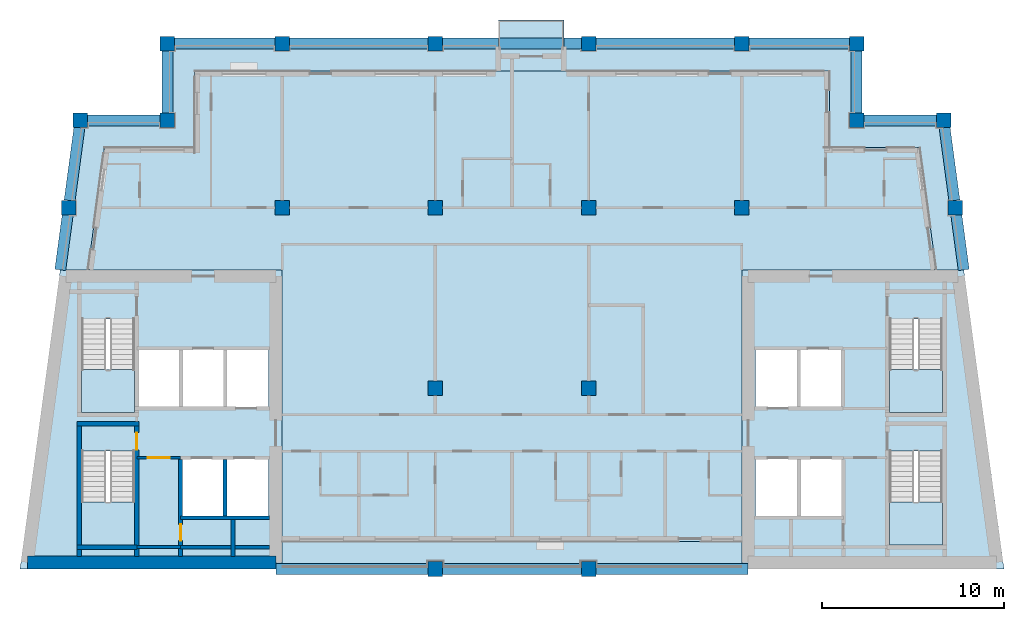
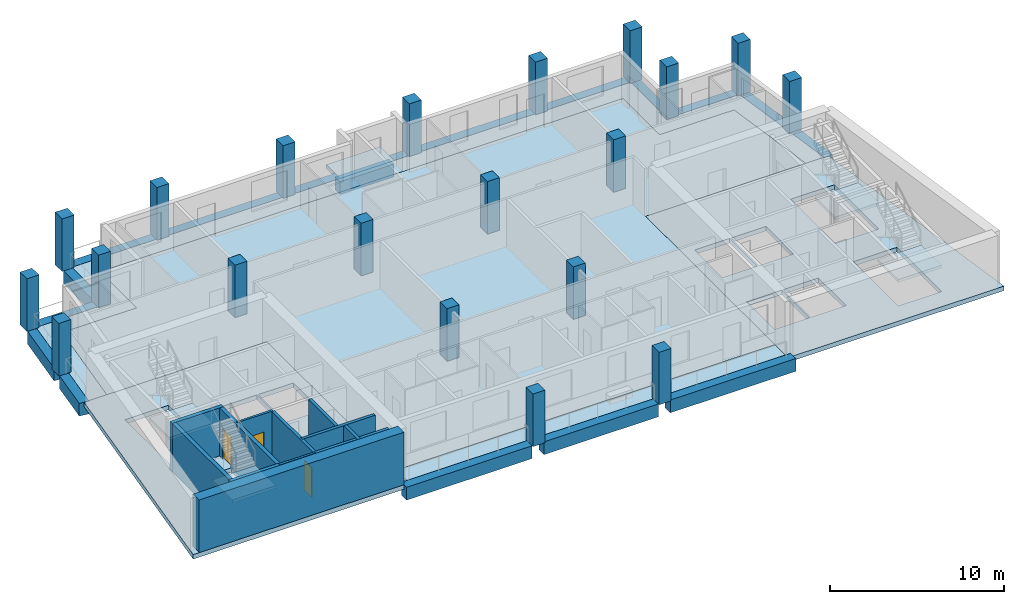
# One storey, part 1 of 10: 20 columns, 18 beams, 12 walls, 10 slabs, 3 doors, 3 openings, 4 elements without a shape of their own.
"""IFC4 building model written with IfcOpenShell, lengths in metres."""

from ifc_helpers import new_model, si_unit, direction, frame, frame_2d, origin, origin_2d, place, context, subcontext, project, spatial, polyline, rectangle, outline, extrude, material, layer, layer_set, material_profile, profile_set, type_object, element, fill, aggregate, save


model = new_model("IFC4")

# Units and contexts
model_context = context("Model", 3, precision=1e-05, world=origin(), true_north=direction((0.0, 1.0)))
body_context = subcontext(model_context, "Body", "Model", "MODEL_VIEW")
ifc_project = project(units=[si_unit("LENGTHUNIT", "METRE"), si_unit("AREAUNIT", "SQUARE_METRE"), si_unit("VOLUMEUNIT", "CUBIC_METRE"), si_unit("PLANEANGLEUNIT", "RADIAN"), si_unit("MASSUNIT", "GRAM", prefix="KILO")], contexts=[model_context])

# Site, building, storey
site_placement = place(None, origin())
site = spatial("IfcSite", under=ifc_project, at=site_placement, CompositionType="ELEMENT")
building_placement = place(site_placement, origin())
building = spatial("IfcBuilding", under=site, at=building_placement, Name="Candeia Pilgrim Tower and Theatre", CompositionType="ELEMENT")
storey_placement = place(building_placement, frame((0.0, 0.0, 284.89990234375)))
storey = spatial("IfcBuildingStorey", under=building, at=storey_placement, Name="L69", CompositionType="ELEMENT", Elevation=284.89990234375)

# Columns
ifc_material_1 = material(Name="Concrete C40/50", Category="concrete")
ifc_material_profile_1 = material_profile(ifc_material_1, rectangle(XDim=0.800048828125, YDim=0.800048828125, at=origin_2d()))
ifc_profile_set_1 = profile_set([ifc_material_profile_1], Name="Concrete C40/50")
column_type = type_object("IfcColumnType", Name="RC 800x800 C40/50", PredefinedType="COLUMN", material=ifc_profile_set_1)
for number, where, z_axis, x_axis, name in (
    (1, (94.5, 140.60009765625, 0.0), (0.0, 0.0, 1.0), (1.0, 0.0, 0.0), "Column NNW"),
    (2, (132.300048828125, 140.60009765625, 0.0), (0.0, 0.0, 1.0), (1.0, 0.0, 0.0), "Column NNE"),
    (3, (89.734619140625, 140.60009765625, 0.0), (0.0, 0.0, 1.0), (1.0, 0.0, 0.0), "Column LNW"),
    (4, (137.0654296875, 140.60009765625, 0.0), (0.0, 0.0, 1.0), (1.0, 0.0, 0.0), "Column LNE"),
    (5, (109.199951171875, 116.0, 0.0), (0.0, 0.0, 1.0), (1.0, 0.0, 0.0), "Column C3"),
    (6, (117.60009765625, 116.0, 0.0), (0.0, 0.0, 1.0), (1.0, 0.0, 0.0), "Column C4"),
    (7, (109.199951171875, 125.89990234375, 0.0), (0.0, 0.0, 1.0), (1.0, 0.0, 0.0), "Column D3"),
    (8, (117.60009765625, 125.89990234375, 0.0), (0.0, 0.0, 1.0), (1.0, 0.0, 0.0), "Column D4"),
    (9, (100.800048828125, 135.800048828125, 0.0), (0.0, 0.0, 1.0), (1.0, 0.0, 0.0), "Column E2"),
    (10, (109.199951171875, 135.800048828125, 0.0), (0.0, 0.0, 1.0), (1.0, 0.0, 0.0), "Column E3"),
    (11, (117.60009765625, 135.800048828125, 0.0), (0.0, 0.0, 1.0), (1.0, 0.0, 0.0), "Column E4"),
    (12, (126.0, 135.800048828125, 0.0), (0.0, 0.0, 1.0), (1.0, 0.0, 0.0), "Column E5"),
    (13, (89.08837890625, 135.800048828125, 0.0), (0.0, 0.0, 1.0), (1.0, 0.0, 0.0), "Column EW"),
    (14, (137.71142578125, 135.800048828125, 0.0), (0.0, 0.0, 1.0), (1.0, 0.0, 0.0), "Column EE"),
    (15, (100.800048828125, 144.800048828125, 0.0), (0.0, 0.0, 1.0), (1.0, 0.0, 0.0), "Column F2"),
    (16, (109.199951171875, 144.800048828125, 0.0), (0.0, 0.0, 1.0), (1.0, 0.0, 0.0), "Column F3"),
    (17, (117.60009765625, 144.800048828125, 0.0), (0.0, 0.0, 1.0), (1.0, 0.0, 0.0), "Column F4"),
    (18, (126.0, 144.800048828125, 0.0), (0.0, 0.0, 1.0), (1.0, 0.0, 0.0), "Column F5"),
    (19, (94.5, 144.800048828125, 0.0), (0.0, 0.0, 1.0), (1.0, 0.0, 0.0), "Column FW"),
    (20, (132.300048828125, 144.800048828125, 0.0), (0.0, 0.0, 1.0), (1.0, 0.0, 0.0), "Column FE"),
):
    element("IfcColumn", number, at=place(storey_placement, frame(where, z_axis=z_axis, x_axis=x_axis)), inside=storey, type_object=column_type, Name=name, PredefinedType="COLUMN", context=body_context, shape_type="SweptSolid", body=[
        extrude(rectangle(XDim=0.800048828125, YDim=0.800048828125, at=origin_2d()), origin(), (0.0, 0.0, 1.0), 3.7001953125),
    ])

# Beams
ifc_material_profile_2 = material_profile(ifc_material_1, rectangle(XDim=0.60009765625, YDim=0.89990234375, at=origin_2d()))
ifc_profile_set_2 = profile_set([ifc_material_profile_2], Name="Concrete C40/50")
beam_type = type_object("IfcBeamType", Name="RC 600x900 C40/50", PredefinedType="BEAM", material=ifc_profile_set_2)
beam_1_placement = place(storey_placement, frame((90.134521484375, 140.60009765625, -0.449951171875), z_axis=(1.0, 0.0, 0.0), x_axis=(0.0, 1.0, 0.0)))
element("IfcBeam", 21, at=beam_1_placement, inside=storey, type_object=beam_type, Name="Spandrel beam L69-01", PredefinedType="BEAM", context=body_context, shape_type="SweptSolid", body=[
    extrude(rectangle(XDim=0.60009765625, YDim=0.89990234375, at=origin_2d()), origin(), (0.0, 0.0, 1.0), 3.965576171875),
])
beam_2_placement = place(storey_placement, frame((94.5, 141.0, -0.449951171875), z_axis=(0.0, 1.0, 0.0), x_axis=(-1.0, 0.0, 0.0)))
element("IfcBeam", 22, at=beam_2_placement, inside=storey, type_object=beam_type, Name="Spandrel beam L69-02", PredefinedType="BEAM", context=body_context, shape_type="SweptSolid", body=[
    extrude(rectangle(XDim=0.60009765625, YDim=0.89990234375, at=origin_2d()), origin(), (0.0, 0.0, 1.0), 3.39990234375),
])
beam_3_placement = place(storey_placement, frame((94.89990234375, 144.800048828125, -0.449951171875), z_axis=(1.0, 0.0, 0.0), x_axis=(0.0, 1.0, 0.0)))
element("IfcBeam", 23, at=beam_3_placement, inside=storey, type_object=beam_type, Name="Spandrel beam L69-03", PredefinedType="BEAM", context=body_context, shape_type="SweptSolid", body=[
    extrude(rectangle(XDim=0.60009765625, YDim=0.89990234375, at=origin_2d()), origin(), (0.0, 0.0, 1.0), 5.5),
])
beam_4_placement = place(storey_placement, frame((101.199951171875, 144.800048828125, -0.449951171875), z_axis=(1.0, 0.0, 0.0), x_axis=(0.0, 1.0, 0.0)))
element("IfcBeam", 24, at=beam_4_placement, inside=storey, type_object=beam_type, Name="Spandrel beam L69-04", PredefinedType="BEAM", context=body_context, shape_type="SweptSolid", body=[
    extrude(rectangle(XDim=0.60009765625, YDim=0.89990234375, at=origin_2d()), origin(), (0.0, 0.0, 1.0), 7.60009765625),
])
beam_5_placement = place(storey_placement, frame((109.60009765625, 144.800048828125, -0.449951171875), z_axis=(1.0, 0.0, 0.0), x_axis=(0.0, 1.0, 0.0)))
element("IfcBeam", 25, at=beam_5_placement, inside=storey, type_object=beam_type, Name="Spandrel beam L69-05", PredefinedType="BEAM", context=body_context, shape_type="SweptSolid", body=[
    extrude(rectangle(XDim=0.60009765625, YDim=0.89990234375, at=origin_2d()), origin(), (0.0, 0.0, 1.0), 3.0498046875),
])
beam_6_placement = place(storey_placement, frame((112.64990234375, 144.800048828125, -0.699951171875), z_axis=(1.0, 0.0, 0.0), x_axis=(0.0, 1.0, 0.0)))
element("IfcBeam", 26, at=beam_6_placement, inside=storey, type_object=beam_type, Name="Spandrel beam L69-06", PredefinedType="BEAM", context=body_context, shape_type="SweptSolid", body=[
    extrude(rectangle(XDim=0.60009765625, YDim=0.89990234375, at=origin_2d()), origin(), (0.0, 0.0, 1.0), 3.60009765625),
])
beam_7_placement = place(storey_placement, frame((116.25, 144.800048828125, -0.449951171875), z_axis=(1.0, 0.0, 0.0), x_axis=(0.0, 1.0, 0.0)))
element("IfcBeam", 27, at=beam_7_placement, inside=storey, type_object=beam_type, Name="Spandrel beam L69-07", PredefinedType="BEAM", context=body_context, shape_type="SweptSolid", body=[
    extrude(rectangle(XDim=0.60009765625, YDim=0.89990234375, at=origin_2d()), origin(), (0.0, 0.0, 1.0), 0.949951171875),
])
beam_8_placement = place(storey_placement, frame((118.0, 144.800048828125, -0.449951171875), z_axis=(1.0, 0.0, 0.0), x_axis=(0.0, 1.0, 0.0)))
element("IfcBeam", 28, at=beam_8_placement, inside=storey, type_object=beam_type, Name="Spandrel beam L69-08", PredefinedType="BEAM", context=body_context, shape_type="SweptSolid", body=[
    extrude(rectangle(XDim=0.60009765625, YDim=0.89990234375, at=origin_2d()), origin(), (0.0, 0.0, 1.0), 7.60009765625),
])
beam_9_placement = place(storey_placement, frame((126.39990234375, 144.800048828125, -0.449951171875), z_axis=(1.0, 0.0, 0.0), x_axis=(0.0, 1.0, 0.0)))
element("IfcBeam", 29, at=beam_9_placement, inside=storey, type_object=beam_type, Name="Spandrel beam L69-09", PredefinedType="BEAM", context=body_context, shape_type="SweptSolid", body=[
    extrude(rectangle(XDim=0.60009765625, YDim=0.89990234375, at=origin_2d()), origin(), (0.0, 0.0, 1.0), 5.5),
])
beam_10_placement = place(storey_placement, frame((132.300048828125, 144.39990234375, -0.449951171875), z_axis=(0.0, -1.0, 0.0), x_axis=(1.0, 0.0, 0.0)))
element("IfcBeam", 30, at=beam_10_placement, inside=storey, type_object=beam_type, Name="Spandrel beam L69-10", PredefinedType="BEAM", context=body_context, shape_type="SweptSolid", body=[
    extrude(rectangle(XDim=0.60009765625, YDim=0.89990234375, at=origin_2d()), origin(), (0.0, 0.0, 1.0), 3.39990234375),
])
beam_11_placement = place(storey_placement, frame((132.699951171875, 140.60009765625, -0.449951171875), z_axis=(1.0, 0.0, 0.0), x_axis=(0.0, 1.0, 0.0)))
element("IfcBeam", 31, at=beam_11_placement, inside=storey, type_object=beam_type, Name="Spandrel beam L69-11", PredefinedType="BEAM", context=body_context, shape_type="SweptSolid", body=[
    extrude(rectangle(XDim=0.60009765625, YDim=0.89990234375, at=origin_2d()), origin(), (0.0, 0.0, 1.0), 3.96533203125),
])
beam_12_placement = place(storey_placement, frame((137.119140625, 140.199951171875, -0.449951171875), z_axis=(0.133439433328, -0.991056969923, 0.0), x_axis=(0.991056969923, 0.133439433328, 0.0)))
element("IfcBeam", 32, at=beam_12_placement, inside=storey, type_object=beam_type, Name="Spandrel beam L69-12", PredefinedType="BEAM", context=body_context, shape_type="SweptSolid", body=[
    extrude(rectangle(XDim=0.60009765625, YDim=0.89990234375, at=origin_2d()), origin(), (0.0, 0.0, 1.0), 4.0361328125),
])
beam_13_placement = place(storey_placement, frame((137.765380859375, 135.39990234375, -0.449951171875), z_axis=(0.133399824849, -0.991062302144, 0.0), x_axis=(0.991062302144, 0.133399824849, 0.0)))
element("IfcBeam", 33, at=beam_13_placement, inside=storey, type_object=beam_type, Name="Spandrel beam L69-13", PredefinedType="BEAM", context=body_context, shape_type="SweptSolid", body=[
    extrude(rectangle(XDim=0.60009765625, YDim=0.89990234375, at=origin_2d()), origin(), (0.0, 0.0, 1.0), 3.027099609375),
])
beam_14_placement = place(storey_placement, frame((126.35009765625, 116.0, -0.449951171875), z_axis=(-1.0, 0.0, 0.0), x_axis=(0.0, -1.0, 0.0)))
element("IfcBeam", 34, at=beam_14_placement, inside=storey, type_object=beam_type, Name="Spandrel beam L69-14", PredefinedType="BEAM", context=body_context, shape_type="SweptSolid", body=[
    extrude(rectangle(XDim=0.60009765625, YDim=0.89990234375, at=origin_2d()), origin(), (0.0, 0.0, 1.0), 8.35009765625),
])
beam_15_placement = place(storey_placement, frame((117.199951171875, 116.0, -0.449951171875), z_axis=(-1.0, 0.0, 0.0), x_axis=(0.0, -1.0, 0.0)))
element("IfcBeam", 35, at=beam_15_placement, inside=storey, type_object=beam_type, Name="Spandrel beam L69-15", PredefinedType="BEAM", context=body_context, shape_type="SweptSolid", body=[
    extrude(rectangle(XDim=0.60009765625, YDim=0.89990234375, at=origin_2d()), origin(), (0.0, 0.0, 1.0), 7.599853515625),
])
beam_16_placement = place(storey_placement, frame((108.800048828125, 116.0, -0.449951171875), z_axis=(-1.0, 0.0, 0.0), x_axis=(0.0, -1.0, 0.0)))
element("IfcBeam", 36, at=beam_16_placement, inside=storey, type_object=beam_type, Name="Spandrel beam L69-16", PredefinedType="BEAM", context=body_context, shape_type="SweptSolid", body=[
    extrude(rectangle(XDim=0.60009765625, YDim=0.89990234375, at=origin_2d()), origin(), (0.0, 0.0, 1.0), 8.35009765625),
])
beam_17_placement = place(storey_placement, frame((88.630859375, 132.39990234375, -0.449951171875), z_axis=(0.133399824849, 0.991062302144, 0.0), x_axis=(-0.991062302144, 0.133399824849, 0.0)))
element("IfcBeam", 37, at=beam_17_placement, inside=storey, type_object=beam_type, Name="Spandrel beam L69-17", PredefinedType="BEAM", context=body_context, shape_type="SweptSolid", body=[
    extrude(rectangle(XDim=0.60009765625, YDim=0.89990234375, at=origin_2d()), origin(), (0.0, 0.0, 1.0), 3.027099609375),
])
beam_18_placement = place(storey_placement, frame((89.142333984375, 136.199951171875, -0.449951171875), z_axis=(0.13338002037, 0.991064967682, 0.0), x_axis=(-0.991064967682, 0.13338002037, 0.0)))
element("IfcBeam", 38, at=beam_18_placement, inside=storey, type_object=beam_type, Name="Spandrel beam L69-18", PredefinedType="BEAM", context=body_context, shape_type="SweptSolid", body=[
    extrude(rectangle(XDim=0.60009765625, YDim=0.89990234375, at=origin_2d()), origin(), (0.0, 0.0, 1.0), 4.0361328125),
])

# Slabs
ifc_layer_1 = layer(ifc_material_1, 0.25)
ifc_layer_set_1 = layer_set([ifc_layer_1], Name="BK1 balcony slab 250")
slab_type_1 = type_object("IfcSlabType", Name="BK1 balcony slab 250", PredefinedType="USERDEFINED", material=ifc_layer_set_1)
slab_1_placement = place(storey_placement, frame((0.0, 0.0, -0.25)))
element("IfcSlab", 39, at=slab_1_placement, inside=storey, type_object=slab_type_1, Name="Balcony L69", ObjectType="BALCONY", PredefinedType="USERDEFINED", context=body_context, shape_type="SweptSolid", body=[
    extrude(outline(polyline([(112.64990234375, 144.5), (116.25, 144.5), (116.25, 146.10009765625), (112.64990234375, 146.10009765625), (112.64990234375, 144.5)])), origin(), (0.0, 0.0, 1.0), 0.25),
])
ifc_material_2 = material(Name="Concrete C60/75", Category="concrete")
ifc_layer_2 = layer(ifc_material_2, 0.320068359375)
ifc_layer_set_2 = layer_set([ifc_layer_2], Name="FS-CORE 320 core floor")
slab_type_2 = type_object("IfcSlabType", Name="FS-CORE 320 core floor", PredefinedType="FLOOR", material=ifc_layer_set_2)
slab_2_placement = place(storey_placement, frame((0.0, 0.0, -0.31982421875)))
element("IfcSlab", 40, at=slab_2_placement, inside=storey, type_object=slab_type_2, Name="Core floor W L69", PredefinedType="FLOOR", context=body_context, shape_type="SweptSolid", body=[
    extrude(outline(polyline([(100.800048828125, 132.39990234375), (100.800048828125, 116.0), (86.423095703125, 116.0), (88.630859375, 132.39990234375), (100.800048828125, 132.39990234375)]), holes=[polyline([(97.71337890625, 122.050048828125), (97.71337890625, 118.85009765625), (100.050048828125, 118.85009765625), (100.050048828125, 122.050048828125), (97.71337890625, 122.050048828125)]), polyline([(97.7255859375, 128.050048828125), (97.7255859375, 124.85009765625), (100.050048828125, 124.85009765625), (100.050048828125, 128.050048828125), (97.7255859375, 128.050048828125)]), polyline([(95.30126953125, 128.050048828125), (95.30126953125, 124.85009765625), (97.625732421875, 124.85009765625), (97.625732421875, 128.050048828125), (95.30126953125, 128.050048828125)]), polyline([(95.277099609375, 122.050048828125), (95.277099609375, 118.85009765625), (97.613525390625, 118.85009765625), (97.613525390625, 122.050048828125), (95.277099609375, 122.050048828125)]), polyline([(92.876953125, 128.050048828125), (92.876953125, 124.85009765625), (95.201416015625, 124.85009765625), (95.201416015625, 128.050048828125), (92.876953125, 128.050048828125)]), polyline([(89.802001953125, 117.324951171875), (92.701904296875, 117.324951171875), (92.701904296875, 122.455078125), (89.802001953125, 122.455078125), (89.802001953125, 117.324951171875)]), polyline([(89.802001953125, 129.705078125), (89.802001953125, 124.574951171875), (92.701904296875, 124.574951171875), (92.701904296875, 129.705078125), (89.802001953125, 129.705078125)])]), origin(), (0.0, 0.0, 1.0), 0.31982421875),
])
slab_3_placement = place(storey_placement, frame((0.0, 0.0, -0.31982421875)))
element("IfcSlab", 41, at=slab_3_placement, inside=storey, type_object=slab_type_2, Name="Core floor E L69", PredefinedType="FLOOR", context=body_context, shape_type="SweptSolid", body=[
    extrude(outline(polyline([(138.169189453125, 132.39990234375), (140.376953125, 116.0), (126.0, 116.0), (126.0, 132.39990234375), (138.169189453125, 132.39990234375)]), holes=[polyline([(134.097900390625, 117.324951171875), (136.998046875, 117.324951171875), (136.998046875, 122.455078125), (134.097900390625, 122.455078125), (134.097900390625, 117.324951171875)]), polyline([(134.097900390625, 129.705078125), (134.097900390625, 124.574951171875), (136.998046875, 124.574951171875), (136.998046875, 129.705078125), (134.097900390625, 129.705078125)]), polyline([(131.52294921875, 122.050048828125), (129.1865234375, 122.050048828125), (129.1865234375, 118.85009765625), (131.52294921875, 118.85009765625), (131.52294921875, 122.050048828125)]), polyline([(131.498779296875, 128.050048828125), (129.17431640625, 128.050048828125), (129.17431640625, 124.85009765625), (131.498779296875, 124.85009765625), (131.498779296875, 128.050048828125)]), polyline([(129.08642578125, 122.050048828125), (126.75, 122.050048828125), (126.75, 118.85009765625), (129.08642578125, 118.85009765625), (129.08642578125, 122.050048828125)]), polyline([(126.75, 128.050048828125), (126.75, 124.85009765625), (129.07421875, 124.85009765625), (129.07421875, 128.050048828125), (126.75, 128.050048828125)])]), origin(), (0.0, 0.0, 1.0), 0.31982421875),
])
ifc_material_3 = material(Name="Concrete C50/60", Category="concrete")
ifc_layer_3 = layer(ifc_material_3, 0.320068359375)
ifc_layer_set_3 = layer_set([ifc_layer_3], Name="Floor slab 320 C50/60")
slab_type_3 = type_object("IfcSlabType", Name="Floor slab 320 C50/60", PredefinedType="FLOOR", material=ifc_layer_set_3)
slab_4_placement = place(storey_placement, frame((0.0, 0.0, -0.31982421875)))
element("IfcSlab", 42, at=slab_4_placement, inside=storey, type_object=slab_type_3, Name="Floor slab L69", PredefinedType="FLOOR", context=body_context, shape_type="SweptSolid", body=[
    extrude(outline(polyline([(96.0, 139.10009765625), (96.0, 143.300048828125), (130.800048828125, 143.300048828125), (130.800048828125, 139.10009765625), (135.753662109375, 139.10009765625), (136.65576171875, 132.39990234375), (126.0, 132.39990234375), (126.0, 117.5), (100.800048828125, 117.5), (100.800048828125, 132.39990234375), (90.144287109375, 132.39990234375), (91.046142578125, 139.10009765625), (96.0, 139.10009765625)])), origin(), (0.0, 0.0, 1.0), 0.31982421875),
])
ifc_layer_4 = layer(ifc_material_1, 0.25)
ifc_layer_set_4 = layer_set([ifc_layer_4], Name="Loggia slab 250 C40/50")
slab_type_4 = type_object("IfcSlabType", Name="Loggia slab 250 C40/50", PredefinedType="FLOOR", material=ifc_layer_set_4)
slab_5_placement = place(storey_placement, frame((0.0, 0.0, -0.25)))
element("IfcSlab", 43, at=slab_5_placement, inside=storey, type_object=slab_type_4, Name="Loggia slab L69 1", PredefinedType="FLOOR", context=body_context, shape_type="SweptSolid", body=[
    extrude(outline(polyline([(100.800048828125, 117.5), (126.0, 117.5), (126.0, 116.300048828125), (100.800048828125, 116.300048828125), (100.800048828125, 117.5)])), origin(), (0.0, 0.0, 1.0), 0.25),
])
slab_6_placement = place(storey_placement, frame((0.0, 0.0, -0.25)))
element("IfcSlab", 44, at=slab_6_placement, inside=storey, type_object=slab_type_4, Name="Loggia slab L69 2", PredefinedType="FLOOR", context=body_context, shape_type="SweptSolid", body=[
    extrude(outline(polyline([(136.65576171875, 132.39990234375), (135.753662109375, 139.10009765625), (130.800048828125, 139.10009765625), (130.800048828125, 143.300048828125), (96.0, 143.300048828125), (96.0, 139.10009765625), (91.046142578125, 139.10009765625), (90.144287109375, 132.39990234375), (88.93359375, 132.39990234375), (89.996826171875, 140.300048828125), (94.800048828125, 140.300048828125), (94.800048828125, 144.5), (132.0, 144.5), (132.0, 140.300048828125), (136.802978515625, 140.300048828125), (137.866455078125, 132.39990234375), (136.65576171875, 132.39990234375)])), origin(), (0.0, 0.0, 1.0), 0.25),
])

# Stair, slab
stair_type = type_object("IfcStairType", Name="ST-TWR dog-leg escape stair", PredefinedType="HALF_TURN_STAIR", material=ifc_material_1)
stair_1_placement = place(storey_placement, origin())
stair_1 = element("IfcStair", 45, at=stair_1_placement, inside=storey, type_object=stair_type, Name="L69 Escape stair ST1", PredefinedType="HALF_TURN_STAIR")
ifc_layer_5 = layer(ifc_material_1, 0.199951171875)
ifc_layer_set_5 = layer_set([ifc_layer_5], Name="SL-LANDING stair landing")
slab_type_5 = type_object("IfcSlabType", Name="SL-LANDING stair landing", PredefinedType="LANDING", material=ifc_layer_set_5)
slab_7_placement = place(storey_placement, frame((0.0, 0.0, 1.650146484375)))
slab_7 = element("IfcSlab", 46, at=slab_7_placement, type_object=slab_type_5, Name="ST1 landing 1", PredefinedType="LANDING", context=body_context, shape_type="SweptSolid", body=[
    extrude(outline(polyline([(89.802001953125, 119.675048828125), (89.802001953125, 117.324951171875), (92.701904296875, 117.324951171875), (92.701904296875, 119.675048828125), (89.802001953125, 119.675048828125)])), origin(), (0.0, 0.0, 1.0), 0.199951171875),
])
aggregate(stair_1, [slab_7])

stair_2_placement = place(storey_placement, origin())
stair_2 = element("IfcStair", 47, at=stair_2_placement, inside=storey, type_object=stair_type, Name="L69 Escape stair ST2", PredefinedType="HALF_TURN_STAIR")
slab_8_placement = place(storey_placement, frame((0.0, 0.0, 1.650146484375)))
slab_8 = element("IfcSlab", 48, at=slab_8_placement, type_object=slab_type_5, Name="ST2 landing 1", PredefinedType="LANDING", context=body_context, shape_type="SweptSolid", body=[
    extrude(outline(polyline([(89.802001953125, 126.925048828125), (89.802001953125, 124.574951171875), (92.701904296875, 124.574951171875), (92.701904296875, 126.925048828125), (89.802001953125, 126.925048828125)])), origin(), (0.0, 0.0, 1.0), 0.199951171875),
])
aggregate(stair_2, [slab_8])

stair_3_placement = place(storey_placement, origin())
stair_3 = element("IfcStair", 49, at=stair_3_placement, inside=storey, type_object=stair_type, Name="L69 Escape stair ST3", PredefinedType="HALF_TURN_STAIR")
slab_9_placement = place(storey_placement, frame((0.0, 0.0, 1.650146484375)))
slab_9 = element("IfcSlab", 50, at=slab_9_placement, type_object=slab_type_5, Name="ST3 landing 1", PredefinedType="LANDING", context=body_context, shape_type="SweptSolid", body=[
    extrude(outline(polyline([(134.097900390625, 119.675048828125), (134.097900390625, 117.324951171875), (136.998046875, 117.324951171875), (136.998046875, 119.675048828125), (134.097900390625, 119.675048828125)])), origin(), (0.0, 0.0, 1.0), 0.199951171875),
])
aggregate(stair_3, [slab_9])

stair_4_placement = place(storey_placement, origin())
stair_4 = element("IfcStair", 51, at=stair_4_placement, inside=storey, type_object=stair_type, Name="L69 Escape stair ST4", PredefinedType="HALF_TURN_STAIR")
slab_10_placement = place(storey_placement, frame((0.0, 0.0, 1.650146484375)))
slab_10 = element("IfcSlab", 52, at=slab_10_placement, type_object=slab_type_5, Name="ST4 landing 1", PredefinedType="LANDING", context=body_context, shape_type="SweptSolid", body=[
    extrude(outline(polyline([(134.097900390625, 126.925048828125), (134.097900390625, 124.574951171875), (136.998046875, 124.574951171875), (136.998046875, 126.925048828125), (134.097900390625, 126.925048828125)])), origin(), (0.0, 0.0, 1.0), 0.199951171875),
])
aggregate(stair_4, [slab_10])

# Walls
ifc_layer_6 = layer(ifc_material_1, 0.699951171875)
ifc_layer_set_6 = layer_set([ifc_layer_6], Name="Core wall 700 C40/50")
wall_type_1 = type_object("IfcWallType", Name="Core wall 700 C40/50", PredefinedType="SHEAR", material=ifc_layer_set_6)
wall_1_placement = place(storey_placement, frame((100.449951171875, 116.35009765625, 0.0), z_axis=(0.0, 0.0, 1.0), x_axis=(-1.0, 0.0, 0.0)))
element("IfcWall", 53, at=wall_1_placement, inside=storey, type_object=wall_type_1, Name="Core wall W3", PredefinedType="SHEAR", context=body_context, shape_type="SweptSolid", body=[
    extrude(rectangle(XDim=13.626708984375, YDim=0.699951171875, at=frame_2d((6.8134765625, 0.0))), origin(), (0.0, 0.0, 1.0), 3.7001953125),
])
ifc_material_4 = material(Name="Gypsum board partition on steel studs", Category="steel")
ifc_layer_7 = layer(ifc_material_4, 0.14990234375)
ifc_layer_set_7 = layer_set([ifc_layer_7], Name="PW-150 lobby wall")
wall_type_2 = type_object("IfcWallType", Name="PW-150 lobby wall", PredefinedType="PARTITIONING", material=ifc_layer_set_7)
wall_2_placement = place(storey_placement, frame((92.826904296875, 117.199951171875, 0.0), z_axis=(0.0, 0.0, 1.0), x_axis=(1.0, 0.0, 0.0)))
element("IfcWall", 54, at=wall_2_placement, inside=storey, type_object=wall_type_2, Name="Lobby wall L69-003", PredefinedType="PARTITIONING", context=body_context, shape_type="SweptSolid", body=[
    extrude(rectangle(XDim=2.400146484375, YDim=0.14990234375, at=frame_2d((1.2001953125, 0.0))), origin(), (0.0, 0.0, 1.0), 3.380126953125),
])

# Wall, opening, door
wall_3_placement = place(storey_placement, frame((92.826904296875, 122.10009765625, 0.0), z_axis=(0.0, 0.0, 1.0), x_axis=(1.0, 0.0, 0.0)))
wall_3 = element("IfcWall", 55, at=wall_3_placement, inside=storey, type_object=wall_type_2, Name="Lobby wall L69-015", PredefinedType="PARTITIONING", context=body_context, shape_type="SweptSolid", body=[
    extrude(rectangle(XDim=2.400146484375, YDim=0.14990234375, at=frame_2d((1.2001953125, 0.0))), origin(), (0.0, 0.0, 1.0), 3.380126953125),
])
opening_1_placement = place(wall_3_placement, frame((0.60009765625, 0.0, 0.0)))
opening_1 = element("IfcOpeningElement", 56, at=opening_1_placement, cuts=wall_3, Name="Opening L69-D001", PredefinedType="OPENING", context=body_context, shape_type="SweptSolid", body=[
    extrude(rectangle(XDim=1.199951171875, YDim=2.10009765625, at=frame_2d((0.60009765625, 1.050048828125))), frame((0.0, 0.0849609375, 0.0), z_axis=(0.0, -1.0, 0.0), x_axis=(1.0, 0.0, 0.0)), (0.0, 0.0, 1.0), 0.169921875),
])
ifc_material_5 = material(Name="Steel fire door set", Category="steel")
door_type_1 = type_object("IfcDoorType", Name="D-1200-FD60", OperationType="NOTDEFINED", PredefinedType="DOOR", material=ifc_material_5)
door_1_placement = place(opening_1_placement, origin())
door_1 = element("IfcDoor", 57, at=door_1_placement, inside=storey, type_object=door_type_1, Name="Door L69-D001", OperationType="SINGLE_SWING_RIGHT", OverallHeight=2.10009765625, OverallWidth=1.199951171875, PredefinedType="DOOR", context=body_context, shape_type="SweptSolid", body=[
    extrude(rectangle(XDim=1.199951171875, YDim=2.10009765625, at=frame_2d((0.60009765625, 1.050048828125))), frame((0.0, 0.02490234375, 0.0), z_axis=(0.0, -1.0, 0.0), x_axis=(1.0, 0.0, 0.0)), (0.0, 0.0, 1.0), 0.050048828125),
])
fill(opening_1, door_1)

# Walls
ifc_layer_8 = layer(ifc_material_1, 0.199951171875)
ifc_layer_set_8 = layer_set([ifc_layer_8], Name="SW-200 shaft wall")
wall_type_3 = type_object("IfcWallType", Name="SW-200 shaft wall", PredefinedType="PARTITIONING", material=ifc_layer_set_8)
for number, where, z_axis, x_axis, name in (
    (58, (95.22705078125, 117.199951171875, 0.0), (0.0, 0.0, 1.0), (1.0, 0.0, 0.0), "Shaft wall L69-001"),
    (59, (95.22705078125, 118.800048828125, 0.0), (0.0, 0.0, 1.0), (1.0, 0.0, 0.0), "Shaft wall L69-007"),
):
    element("IfcWall", number, at=place(storey_placement, frame(where, z_axis=z_axis, x_axis=x_axis)), inside=storey, type_object=wall_type_3, Name=name, PredefinedType="PARTITIONING", context=body_context, shape_type="SweptSolid", body=[
        extrude(rectangle(XDim=4.873046875, YDim=0.199951171875, at=frame_2d((2.4365234375, 0.0))), origin(), (0.0, 0.0, 1.0), 3.380126953125),
    ])

# Wall, opening, door
wall_4_placement = place(storey_placement, frame((95.22705078125, 116.669921875, 0.0), z_axis=(0.0, 0.0, 1.0), x_axis=(0.0, 1.0, 0.0)))
wall_4 = element("IfcWall", 60, at=wall_4_placement, inside=storey, type_object=wall_type_3, Name="Shaft wall L69-044", PredefinedType="PARTITIONING", context=body_context, shape_type="SweptSolid", body=[
    extrude(rectangle(XDim=5.330078125, YDim=0.199951171875, at=frame_2d((2.6650390625, 0.0))), origin(), (0.0, 0.0, 1.0), 3.380126953125),
])
opening_2_placement = place(wall_4_placement, frame((0.8798828125, 0.0, 0.0)))
opening_2 = element("IfcOpeningElement", 61, at=opening_2_placement, cuts=wall_4, Name="Opening L69-D004", PredefinedType="OPENING", context=body_context, shape_type="SweptSolid", body=[
    extrude(rectangle(XDim=0.89990234375, YDim=2.10009765625, at=frame_2d((0.449951171875, 1.050048828125))), frame((0.0, 0.10986328125, 0.0), z_axis=(0.0, -1.0, 0.0), x_axis=(1.0, 0.0, 0.0)), (0.0, 0.0, 1.0), 0.219970703125),
])
door_type_2 = type_object("IfcDoorType", Name="D-900-FD60", OperationType="NOTDEFINED", PredefinedType="DOOR", material=ifc_material_5)
door_2_placement = place(opening_2_placement, origin())
door_2 = element("IfcDoor", 62, at=door_2_placement, inside=storey, type_object=door_type_2, Name="Door L69-D004", OperationType="SINGLE_SWING_LEFT", OverallHeight=2.10009765625, OverallWidth=0.89990234375, PredefinedType="DOOR", context=body_context, shape_type="SweptSolid", body=[
    extrude(rectangle(XDim=0.89990234375, YDim=2.10009765625, at=frame_2d((0.449951171875, 1.050048828125))), frame((0.0, 0.02490234375, 0.0), z_axis=(0.0, -1.0, 0.0), x_axis=(1.0, 0.0, 0.0)), (0.0, 0.0, 1.0), 0.050048828125),
])
fill(opening_2, door_2)

# Walls
wall_5_placement = place(storey_placement, frame((97.66357421875, 118.89990234375, 0.0), z_axis=(0.0, 0.0, 1.0), x_axis=(0.0, 1.0, 0.0)))
element("IfcWall", 63, at=wall_5_placement, inside=storey, type_object=wall_type_3, Name="Shaft wall L69-047", PredefinedType="PARTITIONING", context=body_context, shape_type="SweptSolid", body=[
    extrude(rectangle(XDim=3.10009765625, YDim=0.199951171875, at=frame_2d((1.550048828125, 0.0))), origin(), (0.0, 0.0, 1.0), 3.380126953125),
])
wall_6_placement = place(storey_placement, frame((98.10009765625, 116.669921875, 0.0), z_axis=(0.0, 0.0, 1.0), x_axis=(0.0, 1.0, 0.0)))
element("IfcWall", 64, at=wall_6_placement, inside=storey, type_object=wall_type_3, Name="Shaft wall L69-049", PredefinedType="PARTITIONING", context=body_context, shape_type="SweptSolid", body=[
    extrude(rectangle(XDim=2.030029296875, YDim=0.199951171875, at=frame_2d((1.01513671875, 0.0))), origin(), (0.0, 0.0, 1.0), 3.380126953125),
])
ifc_layer_9 = layer(ifc_material_1, 0.25)
ifc_layer_set_9 = layer_set([ifc_layer_9], Name="SW-250 stair wall")
wall_type_4 = type_object("IfcWallType", Name="SW-250 stair wall", PredefinedType="PARTITIONING", material=ifc_layer_set_9)
wall_7_placement = place(storey_placement, frame((89.552001953125, 117.199951171875, 0.0), z_axis=(0.0, 0.0, 1.0), x_axis=(1.0, 0.0, 0.0)))
element("IfcWall", 65, at=wall_7_placement, inside=storey, type_object=wall_type_4, Name="Stair wall L69-005", PredefinedType="PARTITIONING", context=body_context, shape_type="SweptSolid", body=[
    extrude(rectangle(XDim=3.27490234375, YDim=0.25, at=frame_2d((1.637451171875, 0.0))), origin(), (0.0, 0.0, 1.0), 3.380126953125),
])
wall_8_placement = place(storey_placement, frame((89.552001953125, 123.949951171875, 0.0), z_axis=(0.0, 0.0, 1.0), x_axis=(1.0, 0.0, 0.0)))
element("IfcWall", 66, at=wall_8_placement, inside=storey, type_object=wall_type_4, Name="Stair wall L69-018", PredefinedType="PARTITIONING", context=body_context, shape_type="SweptSolid", body=[
    extrude(rectangle(XDim=3.39990234375, YDim=0.25, at=frame_2d((1.699951171875, 0.0))), origin(), (0.0, 0.0, 1.0), 3.380126953125),
])
wall_9_placement = place(storey_placement, frame((89.677001953125, 116.669921875, 0.0), z_axis=(0.0, 0.0, 1.0), x_axis=(0.0, 1.0, 0.0)))
element("IfcWall", 67, at=wall_9_placement, inside=storey, type_object=wall_type_4, Name="Stair wall L69-038", PredefinedType="PARTITIONING", context=body_context, shape_type="SweptSolid", body=[
    extrude(rectangle(XDim=7.155029296875, YDim=0.25, at=frame_2d((3.57763671875, 0.0))), origin(), (0.0, 0.0, 1.0), 3.380126953125),
])

# Wall, opening, door
wall_10_placement = place(storey_placement, frame((92.826904296875, 116.669921875, 0.0), z_axis=(0.0, 0.0, 1.0), x_axis=(0.0, 1.0, 0.0)))
wall_10 = element("IfcWall", 68, at=wall_10_placement, inside=storey, type_object=wall_type_4, Name="Stair wall L69-041", PredefinedType="PARTITIONING", context=body_context, shape_type="SweptSolid", body=[
    extrude(rectangle(XDim=7.155029296875, YDim=0.25, at=frame_2d((3.57763671875, 0.0))), origin(), (0.0, 0.0, 1.0), 3.380126953125),
])
opening_3_placement = place(wall_10_placement, frame((5.85498046875, 0.0, 0.0)))
opening_3 = element("IfcOpeningElement", 69, at=opening_3_placement, cuts=wall_10, Name="Opening L69-D002", PredefinedType="OPENING", context=body_context, shape_type="SweptSolid", body=[
    extrude(rectangle(XDim=0.949951171875, YDim=2.10009765625, at=frame_2d((0.47509765625, 1.050048828125))), frame((0.0, 0.135009765625, 0.0), z_axis=(0.0, -1.0, 0.0), x_axis=(1.0, 0.0, 0.0)), (0.0, 0.0, 1.0), 0.27001953125),
])
door_type_3 = type_object("IfcDoorType", Name="D-950-FD60", OperationType="NOTDEFINED", PredefinedType="DOOR", material=ifc_material_5)
door_3_placement = place(opening_3_placement, origin())
door_3 = element("IfcDoor", 70, at=door_3_placement, inside=storey, type_object=door_type_3, Name="Door L69-D002", OperationType="SINGLE_SWING_LEFT", OverallHeight=2.10009765625, OverallWidth=0.949951171875, PredefinedType="DOOR", context=body_context, shape_type="SweptSolid", body=[
    extrude(rectangle(XDim=0.949951171875, YDim=2.10009765625, at=frame_2d((0.47509765625, 1.050048828125))), frame((0.0, 0.02490234375, 0.0), z_axis=(0.0, -1.0, 0.0), x_axis=(1.0, 0.0, 0.0)), (0.0, 0.0, 1.0), 0.050048828125),
])
fill(opening_3, door_3)

save(model, "model.ifc")
